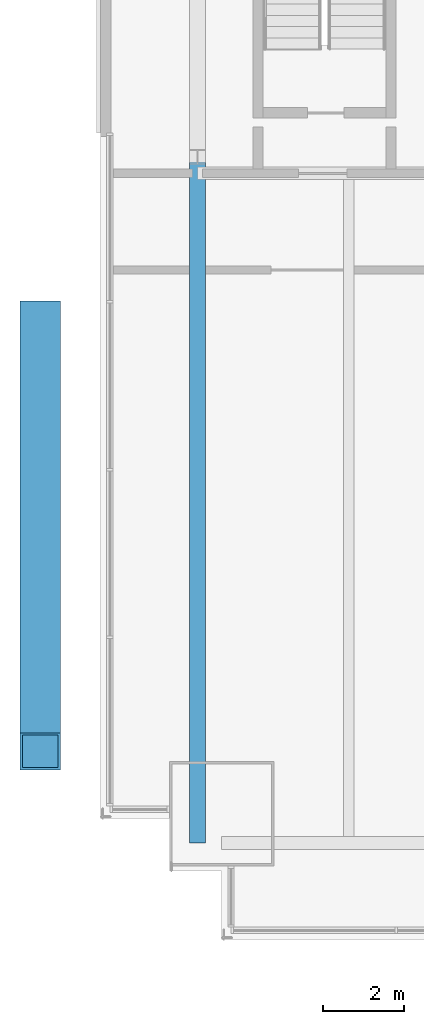
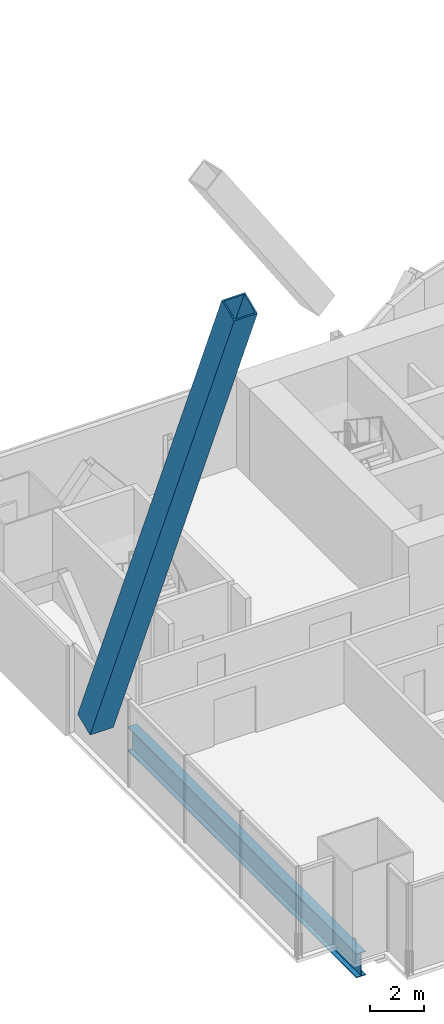
# One storey, part 6 of 24: 1 beam, 1 member.
"""IFC4 building model written with IfcOpenShell, lengths in metres."""

from ifc_helpers import new_model, si_unit, direction, frame, origin, origin_2d, place, context, subcontext, project, spatial, hollow_rectangle, i_section, extrude, material, material_profile, profile_set, type_object, element, save


model = new_model("IFC4")

# Units and contexts
model_context = context("Model", 3, precision=1e-05, world=origin(), true_north=direction((0.0, 1.0)))
body_context = subcontext(model_context, "Body", "Model", "MODEL_VIEW")
ifc_project = project(units=[si_unit("LENGTHUNIT", "METRE"), si_unit("AREAUNIT", "SQUARE_METRE"), si_unit("VOLUMEUNIT", "CUBIC_METRE"), si_unit("PLANEANGLEUNIT", "RADIAN"), si_unit("MASSUNIT", "GRAM", prefix="KILO")], contexts=[model_context])

# Site, building, storey
site_placement = place(None, origin())
site = spatial("IfcSite", under=ifc_project, at=site_placement, CompositionType="ELEMENT")
building_placement = place(site_placement, origin())
building = spatial("IfcBuilding", under=site, at=building_placement, Name="Bicima Exchange Tower", CompositionType="ELEMENT")
storey_placement = place(building_placement, frame((0.0, 0.0, 211.39990234375)))
storey = spatial("IfcBuildingStorey", under=building, at=storey_placement, Name="L47", CompositionType="ELEMENT", Elevation=211.39990234375)

# Beam
ifc_material_1 = material(Name="Steel ASTM A992 Gr 50", Category="steel")
ifc_material_profile_1 = material_profile(ifc_material_1, i_section(OverallWidth=0.4013671875, OverallDepth=1.089599609375, WebThickness=0.01806640625, FlangeThickness=0.031005859375, at=origin_2d()))
ifc_profile_set_1 = profile_set([ifc_material_profile_1], Name="Steel ASTM A992 Gr 50")
beam_type = type_object("IfcBeamType", Name="End girder W44x230", PredefinedType="BEAM", material=ifc_profile_set_1)
beam_placement = place(storey_placement, frame((-33.60009765625, -12.60009765625, -0.69482421875), z_axis=(0.0, -1.0, 0.0), x_axis=(1.0, 0.0, 0.0)))
element("IfcBeam", 1, at=beam_placement, inside=storey, type_object=beam_type, Name="End girder", PredefinedType="BEAM", context=body_context, shape_type="SweptSolid", body=[
    extrude(i_section(OverallWidth=0.4013671875, OverallDepth=1.089599609375, WebThickness=0.01806640625, FlangeThickness=0.031005859375, at=origin_2d()), origin(), (0.0, 0.0, 1.0), 16.995849609375),
])

# Member
ifc_material_2 = material(Name="Steel ASTM A572 Gr 50", Category="steel")
ifc_material_profile_2 = material_profile(ifc_material_2, hollow_rectangle(XDim=1.0, YDim=1.0, WallThickness=0.06005859375, at=origin_2d()))
ifc_profile_set_2 = profile_set([ifc_material_profile_2], Name="Steel ASTM A572 Gr 50")
member_type = type_object("IfcMemberType", Name="Exo mega brace BOX 1000x1000x60", PredefinedType="BRACE", material=ifc_profile_set_2)
member_placement = place(storey_placement, frame((-37.5, -16.62841796875, 3.85009765625), z_axis=(0.0, -0.390181270481, 0.920738060561), x_axis=(1.0, 0.0, 0.0)))
element("IfcMember", 2, at=member_placement, inside=storey, type_object=member_type, Name="Exo mega brace end", PredefinedType="BRACE", context=body_context, shape_type="SweptSolid", body=[
    extrude(hollow_rectangle(XDim=1.0, YDim=1.0, WallThickness=0.06005859375, at=origin_2d()), origin(), (0.0, 0.0, 1.0), 27.423583984375),
])

save(model, "model.ifc")
